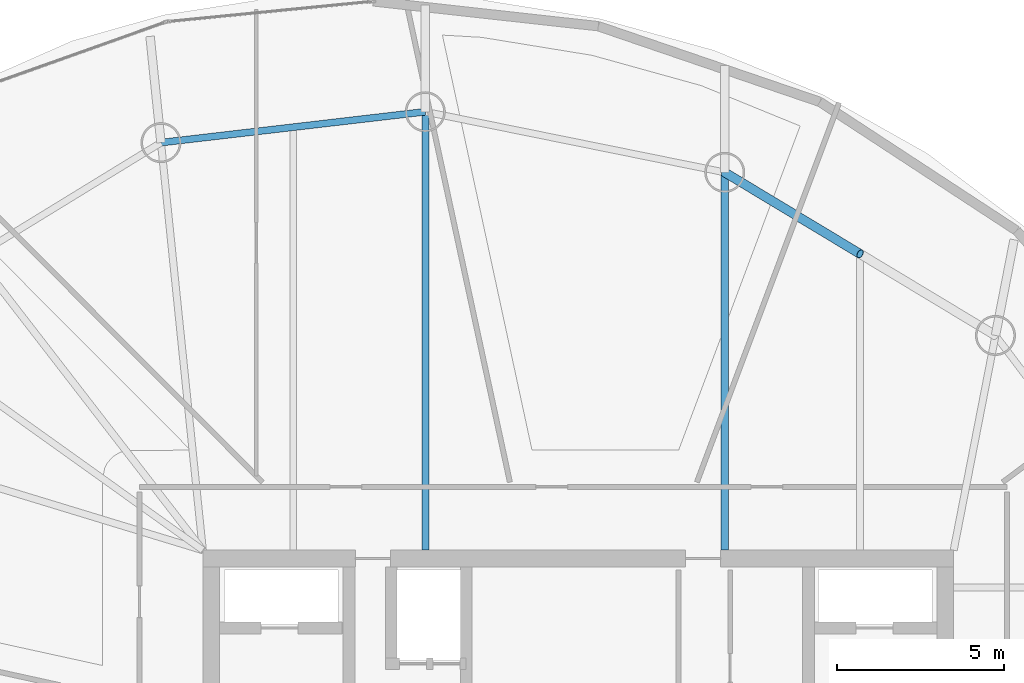
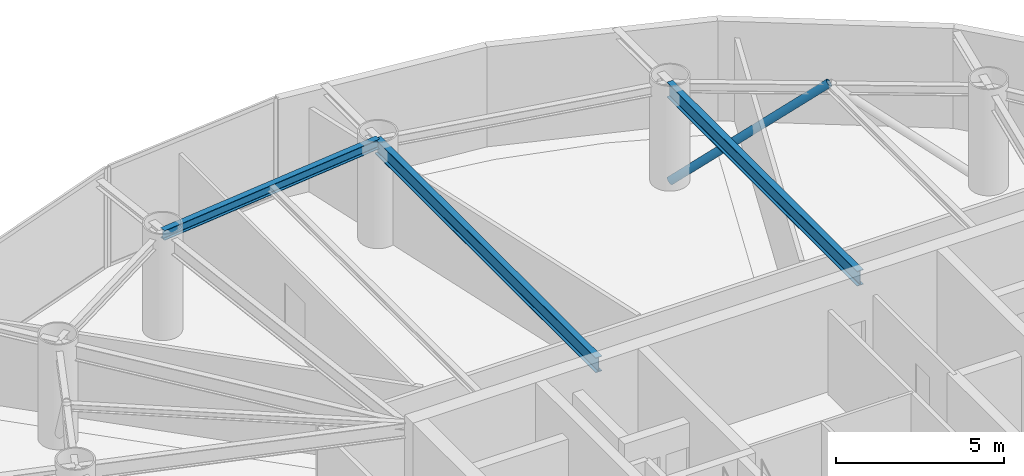
# One storey, part 13 of 23: 3 beams, 1 member.
"""IFC4 building model written with IfcOpenShell, lengths in metres."""

from ifc_helpers import new_model, si_unit, direction, frame, origin, origin_2d, place, context, subcontext, project, spatial, hollow_circle, i_section, extrude, material, material_profile, profile_set, type_object, element, save


model = new_model("IFC4")

# Units and contexts
model_context = context("Model", 3, precision=1e-05, world=origin(), true_north=direction((0.0, 1.0)))
body_context = subcontext(model_context, "Body", "Model", "MODEL_VIEW")
ifc_project = project(units=[si_unit("LENGTHUNIT", "METRE"), si_unit("AREAUNIT", "SQUARE_METRE"), si_unit("VOLUMEUNIT", "CUBIC_METRE"), si_unit("PLANEANGLEUNIT", "RADIAN"), si_unit("MASSUNIT", "GRAM", prefix="KILO")], contexts=[model_context])

# Site, building, storey
site_placement = place(None, origin())
site = spatial("IfcSite", under=ifc_project, at=site_placement, CompositionType="ELEMENT")
building_placement = place(site_placement, origin())
building = spatial("IfcBuilding", under=site, at=building_placement, Name="Bramvorn Convention Spire", CompositionType="ELEMENT")
storey_placement = place(building_placement, frame((0.0, 0.0, 194.300048828125)))
storey = spatial("IfcBuildingStorey", under=building, at=storey_placement, Name="L49", CompositionType="ELEMENT", Elevation=194.300048828125)

# Beams
ifc_material = material(Name="Steel CSA G40.21 Grade 350 (350W)", Category="steel")
ifc_material_profile_1 = material_profile(ifc_material, i_section(OverallWidth=0.205078125, OverallDepth=0.35400390625, WebThickness=0.009521484375, FlangeThickness=0.016845703125, FilletRadius=0.014892578125, at=origin_2d()))
ifc_profile_set_1 = profile_set([ifc_material_profile_1], Name="Steel CSA G40.21 Grade 350 (350W) - W360X79")
beam_type_1 = type_object("IfcBeamType", Name="BM-W360X79", PredefinedType="JOIST", material=ifc_profile_set_1)
beam_1_placement = place(storey_placement, frame((33.416259765625, 46.58837890625, 3.44287109375), z_axis=(-0.993256148339, -0.115940604561, 0.0), x_axis=(0.115940604561, -0.993256148339, 0.0)))
element("IfcBeam", 1, at=beam_1_placement, inside=storey, type_object=beam_type_1, Name="L49 mega-column ring beam 07", PredefinedType="JOIST", context=body_context, shape_type="SweptSolid", body=[
    extrude(i_section(OverallWidth=0.205078125, OverallDepth=0.35400390625, WebThickness=0.009521484375, FlangeThickness=0.016845703125, FilletRadius=0.014892578125, at=origin_2d()), origin(), (0.0, 0.0, 1.0), 7.974365234375),
])
ifc_material_profile_2 = material_profile(ifc_material, i_section(OverallWidth=0.2119140625, OverallDepth=0.5439453125, WebThickness=0.01318359375, FlangeThickness=0.021240234375, FilletRadius=0.01904296875, at=origin_2d()))
ifc_profile_set_2 = profile_set([ifc_material_profile_2], Name="Steel CSA G40.21 Grade 350 (350W) - W530X123")
beam_type_2 = type_object("IfcBeamType", Name="BM-W530X123", PredefinedType="BEAM", material=ifc_profile_set_2)
beam_2_placement = place(storey_placement, frame((42.38916015625, 33.449951171875, 3.347900390625), z_axis=(0.0, 1.0, 0.0), x_axis=(-1.0, 0.0, 0.0)))
element("IfcBeam", 2, at=beam_2_placement, inside=storey, type_object=beam_type_2, Name="L49 radial floor girder MC06", PredefinedType="BEAM", context=body_context, shape_type="SweptSolid", body=[
    extrude(i_section(OverallWidth=0.2119140625, OverallDepth=0.5439453125, WebThickness=0.01318359375, FlangeThickness=0.021240234375, FilletRadius=0.01904296875, at=origin_2d()), origin(), (0.0, 0.0, 1.0), 11.322265625),
])
beam_3_placement = place(storey_placement, frame((33.416259765625, 33.449951171875, 3.347900390625), z_axis=(0.0, 1.0, 0.0), x_axis=(-1.0, 0.0, 0.0)))
element("IfcBeam", 3, at=beam_3_placement, inside=storey, type_object=beam_type_2, Name="L49 radial floor girder MC07", PredefinedType="BEAM", context=body_context, shape_type="SweptSolid", body=[
    extrude(i_section(OverallWidth=0.2119140625, OverallDepth=0.5439453125, WebThickness=0.01318359375, FlangeThickness=0.021240234375, FilletRadius=0.01904296875, at=origin_2d()), origin(), (0.0, 0.0, 1.0), 13.138427734375),
])

# Member
ifc_material_profile_3 = material_profile(ifc_material, hollow_circle(Radius=0.136474609375, WallThickness=0.0126953125, at=origin_2d()))
ifc_profile_set_3 = profile_set([ifc_material_profile_3], Name="Steel CSA G40.21 Grade 350 (350W) - CHS273X13")
member_type = type_object("IfcMemberType", Name="MBR-CHS273X13", PredefinedType="BRACE", material=ifc_profile_set_3)
member_placement = place(storey_placement, frame((42.38916015625, 44.772216796875, 0.0), z_axis=(0.680532253799, -0.409957708593, 0.607297726577), x_axis=(0.516011266543, 0.856581795745, 0.0)))
element("IfcMember", 4, at=member_placement, inside=storey, type_object=member_type, Name="L49 perimeter Gothic lancet brace 5B", PredefinedType="BRACE", context=body_context, shape_type="SweptSolid", body=[
    extrude(hollow_circle(Radius=0.136474609375, WallThickness=0.0126953125, at=origin_2d()), origin(), (0.0, 0.0, 1.0), 5.960693359375),
])

save(model, "model.ifc")
